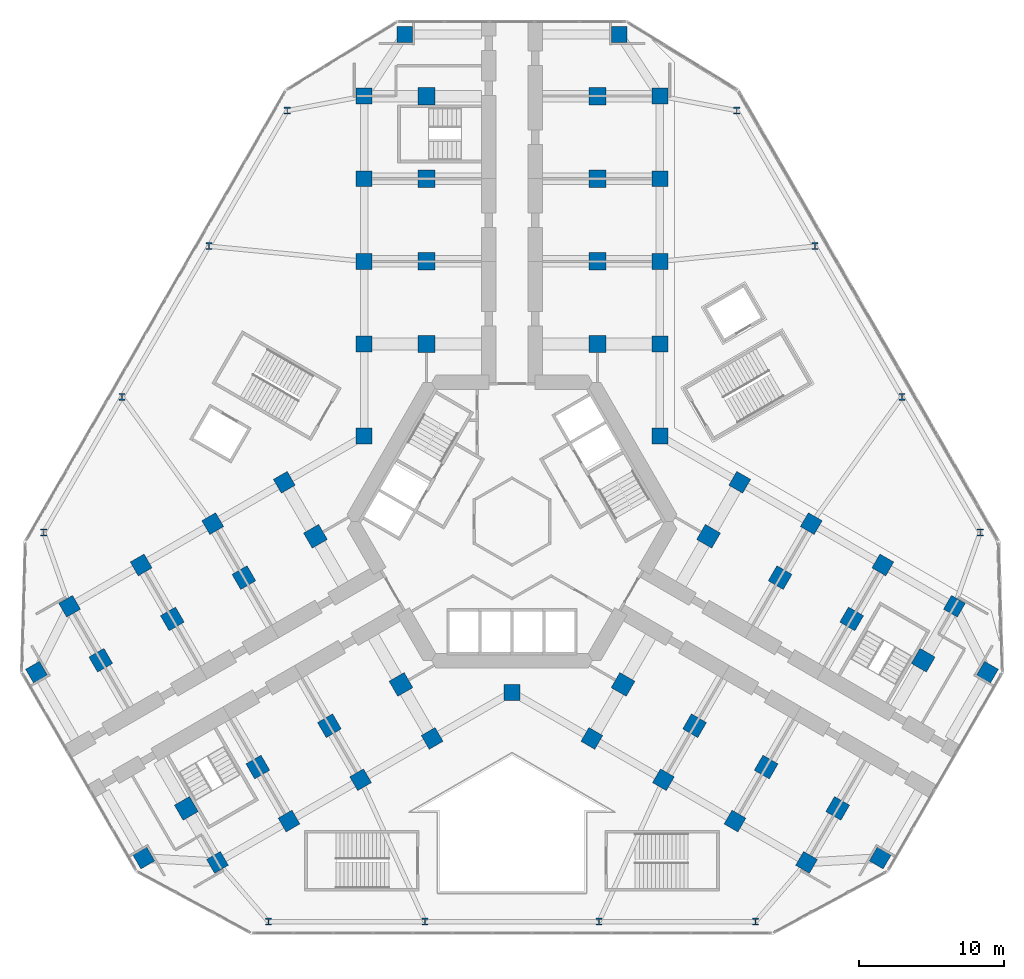
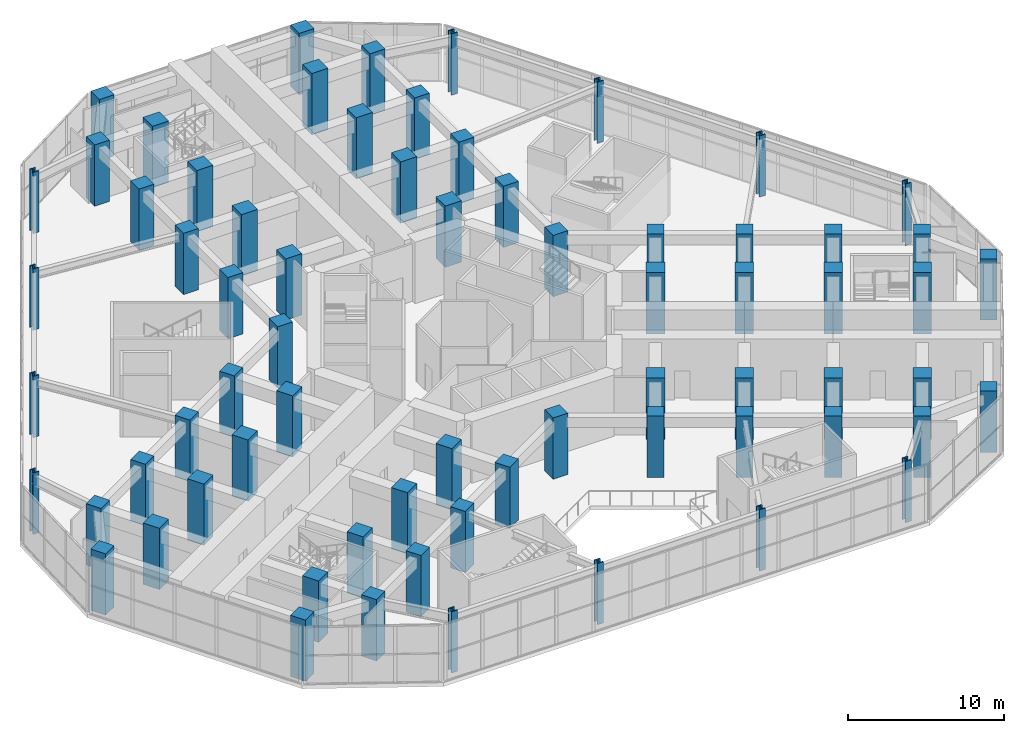
# One storey, part 1 of 22: 69 columns.
"""IFC4 building model written with IfcOpenShell, lengths in metres."""

from ifc_helpers import new_model, si_unit, direction, frame, origin, origin_2d, place, context, subcontext, project, spatial, rectangle, i_section, extrude, material, material_profile, profile_set, type_object, element, save


model = new_model("IFC4")

# Units and contexts
model_context = context("Model", 3, precision=1e-05, world=origin(), true_north=direction((0.0, 1.0)))
body_context = subcontext(model_context, "Body", "Model", "MODEL_VIEW")
ifc_project = project(units=[si_unit("LENGTHUNIT", "METRE"), si_unit("AREAUNIT", "SQUARE_METRE"), si_unit("VOLUMEUNIT", "CUBIC_METRE"), si_unit("PLANEANGLEUNIT", "RADIAN"), si_unit("MASSUNIT", "GRAM", prefix="KILO")], contexts=[model_context])

# Site, building, storey
site_placement = place(None, origin())
site = spatial("IfcSite", under=ifc_project, at=site_placement, CompositionType="ELEMENT")
building_placement = place(site_placement, origin())
building = spatial("IfcBuilding", under=site, at=building_placement, Name="Kosmar Iwan School Tower", CompositionType="ELEMENT")
storey_placement = place(building_placement, frame((0.0, 0.0, 10.800048828125)))
storey = spatial("IfcBuildingStorey", under=building, at=storey_placement, Name="L02", CompositionType="ELEMENT", Elevation=10.800048828125)

# Columns
ifc_material_1 = material(Name="Concrete C50/60", Category="concrete")
ifc_material_profile_1 = material_profile(ifc_material_1, rectangle(XDim=1.10009765625, YDim=1.10009765625, at=origin_2d()), Name="RC 1100x1100 + HD 400x744")
ifc_profile_set_1 = profile_set([ifc_material_profile_1], Name="Concrete C50/60")
column_type_1 = type_object("IfcColumnType", Name="Composite column 1100x1100 HD 400x744", PredefinedType="COLUMN", material=ifc_profile_set_1)
for number, where, z_axis, x_axis, name in (
    (1, (-10.199951171875, 12.25, 0.0), (0.0, 0.0, 1.0), (0.0, 1.0, 0.0), "Column AL1 L02"),
    (2, (-10.199951171875, 17.949951171875, 0.0), (0.0, 0.0, 1.0), (0.0, 1.0, 0.0), "Column AL2 L02"),
    (3, (-10.199951171875, 23.64990234375, 0.0), (0.0, 0.0, 1.0), (0.0, 1.0, 0.0), "Column AL3 L02"),
    (4, (-10.199951171875, 29.35009765625, 0.0), (0.0, 0.0, 1.0), (0.0, 1.0, 0.0), "Column AL4 L02"),
    (5, (-7.39990234375, 33.60009765625, 0.0), (0.0, 0.0, 1.0), (0.0, 1.0, 0.0), "Column ALTIP L02"),
    (6, (10.199951171875, 12.25, 0.0), (0.0, 0.0, 1.0), (0.0, 1.0, 0.0), "Column AR1 L02"),
    (7, (10.199951171875, 17.949951171875, 0.0), (0.0, 0.0, 1.0), (0.0, 1.0, 0.0), "Column AR2 L02"),
    (8, (10.199951171875, 23.64990234375, 0.0), (0.0, 0.0, 1.0), (0.0, 1.0, 0.0), "Column AR3 L02"),
    (9, (10.199951171875, 29.35009765625, 0.0), (0.0, 0.0, 1.0), (0.0, 1.0, 0.0), "Column AR4 L02"),
    (10, (7.39990234375, 33.60009765625, 0.0), (0.0, 0.0, 1.0), (0.0, 1.0, 0.0), "Column ARTIP L02"),
    (11, (-5.5087890625, -14.95849609375, 0.0), (0.0, 0.0, 1.0), (-0.866025403784, -0.5, 0.0), "Column BL1 L02"),
    (12, (-10.445068359375, -17.808349609375, 0.0), (0.0, 0.0, 1.0), (-0.866025403784, -0.5, 0.0), "Column BL2 L02"),
    (13, (-15.381591796875, -20.658447265625, 0.0), (0.0, 0.0, 1.0), (-0.866025403784, -0.5, 0.0), "Column BL3 L02"),
    (14, (-20.31787109375, -23.508544921875, 0.0), (0.0, 0.0, 1.0), (-0.866025403784, -0.5, 0.0), "Column BL4 L02"),
    (15, (-25.3984375, -23.20849609375, 0.0), (0.0, 0.0, 1.0), (-0.866025403784, -0.5, 0.0), "Column BLTIP L02"),
    (16, (-15.708740234375, 2.70849609375, 0.0), (0.0, 0.0, 1.0), (-0.866025403784, -0.5, 0.0), "Column BR1 L02"),
    (17, (-20.645263671875, -0.1416015625, 0.0), (0.0, 0.0, 1.0), (-0.866025403784, -0.5, 0.0), "Column BR2 L02"),
    (18, (-25.58154296875, -2.991455078125, 0.0), (0.0, 0.0, 1.0), (-0.866025403784, -0.5, 0.0), "Column BR3 L02"),
    (19, (-30.517822265625, -5.841552734375, 0.0), (0.0, 0.0, 1.0), (-0.866025403784, -0.5, 0.0), "Column BR4 L02"),
    (20, (-32.79833984375, -10.391357421875, 0.0), (0.0, 0.0, 1.0), (-0.866025403784, -0.5, 0.0), "Column BRTIP L02"),
    (21, (15.708740234375, 2.70849609375, 0.0), (0.0, 0.0, 1.0), (0.866025403784, -0.5, 0.0), "Column CL1 L02"),
    (22, (20.645263671875, -0.1416015625, 0.0), (0.0, 0.0, 1.0), (0.866025403784, -0.5, 0.0), "Column CL2 L02"),
    (23, (25.58154296875, -2.991455078125, 0.0), (0.0, 0.0, 1.0), (0.866025403784, -0.5, 0.0), "Column CL3 L02"),
    (24, (30.517822265625, -5.841552734375, 0.0), (0.0, 0.0, 1.0), (0.866025403784, -0.5, 0.0), "Column CL4 L02"),
    (25, (32.79833984375, -10.391357421875, 0.0), (0.0, 0.0, 1.0), (0.866025403784, -0.5, 0.0), "Column CLTIP L02"),
    (26, (5.5087890625, -14.95849609375, 0.0), (0.0, 0.0, 1.0), (0.866025403784, -0.5, 0.0), "Column CR1 L02"),
    (27, (10.445068359375, -17.808349609375, 0.0), (0.0, 0.0, 1.0), (0.866025403784, -0.5, 0.0), "Column CR2 L02"),
    (28, (15.381591796875, -20.658447265625, 0.0), (0.0, 0.0, 1.0), (0.866025403784, -0.5, 0.0), "Column CR3 L02"),
    (29, (20.31787109375, -23.508544921875, 0.0), (0.0, 0.0, 1.0), (0.866025403784, -0.5, 0.0), "Column CR4 L02"),
    (30, (25.3984375, -23.20849609375, 0.0), (0.0, 0.0, 1.0), (0.866025403784, -0.5, 0.0), "Column CRTIP L02"),
    (31, (-10.199951171875, 5.888916015625, 0.0), (0.0, 0.0, 1.0), (1.0, 0.0, 0.0), "Column RAB L02"),
    (32, (10.199951171875, 5.888916015625, 0.0), (0.0, 0.0, 1.0), (1.0, 0.0, 0.0), "Column RAC L02"),
    (33, (0.0, -11.77783203125, 0.0), (0.0, 0.0, 1.0), (1.0, 0.0, 0.0), "Column RBC L02"),
):
    element("IfcColumn", number, at=place(storey_placement, frame(where, z_axis=z_axis, x_axis=x_axis)), inside=storey, type_object=column_type_1, Name=name, PredefinedType="COLUMN", context=body_context, shape_type="SweptSolid", body=[
        extrude(rectangle(XDim=1.10009765625, YDim=1.10009765625, at=origin_2d()), origin(), (0.0, 0.0, 1.0), 4.800048828125),
    ])
ifc_material_2 = material(Name="Concrete C50/60", Category="concrete")
ifc_material_profile_2 = material_profile(ifc_material_2, rectangle(XDim=1.199951171875, YDim=1.199951171875, at=origin_2d()), Name="RC 1200x1200")
ifc_profile_set_2 = profile_set([ifc_material_profile_2], Name="Concrete C50/60")
column_type_2 = type_object("IfcColumnType", Name="RC interior column 1200x1200", PredefinedType="COLUMN", material=ifc_profile_set_2)
for number, where, z_axis, x_axis, name in (
    (34, (-5.89990234375, 12.25, 0.0), (0.0, 0.0, 1.0), (0.0, 1.0, 0.0), "Interior column ALI1 L02"),
    (35, (-5.89990234375, 17.949951171875, 0.0), (0.0, 0.0, 1.0), (0.0, 1.0, 0.0), "Interior column ALI2 L02"),
    (36, (-5.89990234375, 23.64990234375, 0.0), (0.0, 0.0, 1.0), (0.0, 1.0, 0.0), "Interior column ALI3 L02"),
    (37, (-5.89990234375, 29.35009765625, 0.0), (0.0, 0.0, 1.0), (0.0, 1.0, 0.0), "Interior column ALI4 L02"),
    (38, (5.89990234375, 12.25, 0.0), (0.0, 0.0, 1.0), (0.0, 1.0, 0.0), "Interior column ARI1 L02"),
    (39, (5.89990234375, 17.949951171875, 0.0), (0.0, 0.0, 1.0), (0.0, 1.0, 0.0), "Interior column ARI2 L02"),
    (40, (5.89990234375, 23.64990234375, 0.0), (0.0, 0.0, 1.0), (0.0, 1.0, 0.0), "Interior column ARI3 L02"),
    (41, (5.89990234375, 29.35009765625, 0.0), (0.0, 0.0, 1.0), (0.0, 1.0, 0.0), "Interior column ARI4 L02"),
    (42, (-7.65869140625, -11.234619140625, 0.0), (0.0, 0.0, 1.0), (-0.866025403784, -0.5, 0.0), "Interior column BLI1 L02"),
    (43, (-12.59521484375, -14.08447265625, 0.0), (0.0, 0.0, 1.0), (-0.866025403784, -0.5, 0.0), "Interior column BLI2 L02"),
    (44, (-17.531494140625, -16.9345703125, 0.0), (0.0, 0.0, 1.0), (-0.866025403784, -0.5, 0.0), "Interior column BLI3 L02"),
    (45, (-22.4677734375, -19.78466796875, 0.0), (0.0, 0.0, 1.0), (-0.866025403784, -0.5, 0.0), "Interior column BLI4 L02"),
    (46, (-13.558837890625, -1.015380859375, 0.0), (0.0, 0.0, 1.0), (-0.866025403784, -0.5, 0.0), "Interior column BRI1 L02"),
    (47, (-18.4951171875, -3.865478515625, 0.0), (0.0, 0.0, 1.0), (-0.866025403784, -0.5, 0.0), "Interior column BRI2 L02"),
    (48, (-23.431396484375, -6.71533203125, 0.0), (0.0, 0.0, 1.0), (-0.866025403784, -0.5, 0.0), "Interior column BRI3 L02"),
    (49, (-28.367919921875, -9.5654296875, 0.0), (0.0, 0.0, 1.0), (-0.866025403784, -0.5, 0.0), "Interior column BRI4 L02"),
    (50, (13.558837890625, -1.015380859375, 0.0), (0.0, 0.0, 1.0), (0.866025403784, -0.5, 0.0), "Interior column CLI1 L02"),
    (51, (18.4951171875, -3.865478515625, 0.0), (0.0, 0.0, 1.0), (0.866025403784, -0.5, 0.0), "Interior column CLI2 L02"),
    (52, (23.431396484375, -6.71533203125, 0.0), (0.0, 0.0, 1.0), (0.866025403784, -0.5, 0.0), "Interior column CLI3 L02"),
    (53, (28.367919921875, -9.5654296875, 0.0), (0.0, 0.0, 1.0), (0.866025403784, -0.5, 0.0), "Interior column CLI4 L02"),
    (54, (7.65869140625, -11.234619140625, 0.0), (0.0, 0.0, 1.0), (0.866025403784, -0.5, 0.0), "Interior column CRI1 L02"),
    (55, (12.59521484375, -14.08447265625, 0.0), (0.0, 0.0, 1.0), (0.866025403784, -0.5, 0.0), "Interior column CRI2 L02"),
    (56, (17.531494140625, -16.9345703125, 0.0), (0.0, 0.0, 1.0), (0.866025403784, -0.5, 0.0), "Interior column CRI3 L02"),
    (57, (22.4677734375, -19.78466796875, 0.0), (0.0, 0.0, 1.0), (0.866025403784, -0.5, 0.0), "Interior column CRI4 L02"),
):
    element("IfcColumn", number, at=place(storey_placement, frame(where, z_axis=z_axis, x_axis=x_axis)), inside=storey, type_object=column_type_2, Name=name, PredefinedType="COLUMN", context=body_context, shape_type="SweptSolid", body=[
        extrude(rectangle(XDim=1.199951171875, YDim=1.199951171875, at=origin_2d()), origin(), (0.0, 0.0, 1.0), 4.800048828125),
    ])
ifc_material_3 = material(Name="Steel S355", Category="steel")
ifc_material_profile_3 = material_profile(ifc_material_3, i_section(OverallWidth=0.427978515625, OverallDepth=0.48291015625, WebThickness=0.05126953125, FlangeThickness=0.08154296875, FilletRadius=0.014892578125, at=origin_2d()), Name="HD 400x677")
ifc_profile_set_3 = profile_set([ifc_material_profile_3], Name="Steel S355")
column_type_3 = type_object("IfcColumnType", Name="Steel column HD 400x677", PredefinedType="COLUMN", material=ifc_profile_set_3)
for number, where, z_axis, x_axis, name in (
    (58, (-32.30224609375, -0.749267578125, 0.0), (0.0, 0.0, 1.0), (1.0, 0.0, 0.0), "Infill column AB1"),
    (59, (-26.90234375, 8.603759765625, 0.0), (0.0, 0.0, 1.0), (1.0, 0.0, 0.0), "Infill column AB2"),
    (60, (-20.90234375, 18.99609375, 0.0), (0.0, 0.0, 1.0), (1.0, 0.0, 0.0), "Infill column AB3"),
    (61, (-15.502197265625, 28.34912109375, 0.0), (0.0, 0.0, 1.0), (1.0, 0.0, 0.0), "Infill column AB4"),
    (62, (15.502197265625, 28.34912109375, 0.0), (0.0, 0.0, 1.0), (1.0, 0.0, 0.0), "Infill column AC1"),
    (63, (20.90234375, 18.99609375, 0.0), (0.0, 0.0, 1.0), (1.0, 0.0, 0.0), "Infill column AC2"),
    (64, (26.90234375, 8.603759765625, 0.0), (0.0, 0.0, 1.0), (1.0, 0.0, 0.0), "Infill column AC3"),
    (65, (32.30224609375, -0.749267578125, 0.0), (0.0, 0.0, 1.0), (1.0, 0.0, 0.0), "Infill column AC4"),
    (66, (16.800048828125, -27.60009765625, 0.0), (0.0, 0.0, 1.0), (1.0, 0.0, 0.0), "Infill column BC1"),
    (67, (6.0, -27.60009765625, 0.0), (0.0, 0.0, 1.0), (1.0, 0.0, 0.0), "Infill column BC2"),
    (68, (-6.0, -27.60009765625, 0.0), (0.0, 0.0, 1.0), (1.0, 0.0, 0.0), "Infill column BC3"),
    (69, (-16.800048828125, -27.60009765625, 0.0), (0.0, 0.0, 1.0), (1.0, 0.0, 0.0), "Infill column BC4"),
):
    element("IfcColumn", number, at=place(storey_placement, frame(where, z_axis=z_axis, x_axis=x_axis)), inside=storey, type_object=column_type_3, Name=name, PredefinedType="COLUMN", context=body_context, shape_type="SweptSolid", body=[
        extrude(i_section(OverallWidth=0.427978515625, OverallDepth=0.48291015625, WebThickness=0.05126953125, FlangeThickness=0.08154296875, FilletRadius=0.014892578125, at=origin_2d()), origin(), (0.0, 0.0, 1.0), 4.800048828125),
    ])

save(model, "model.ifc")
